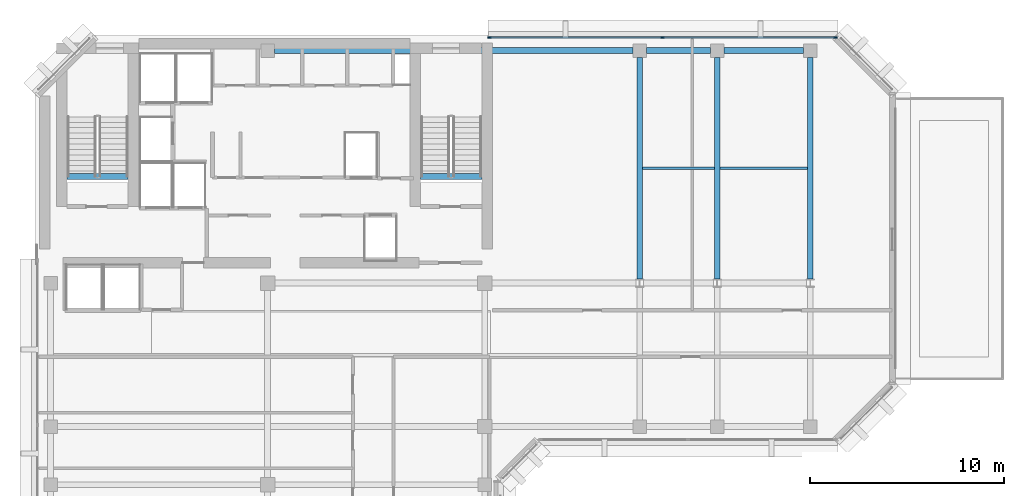
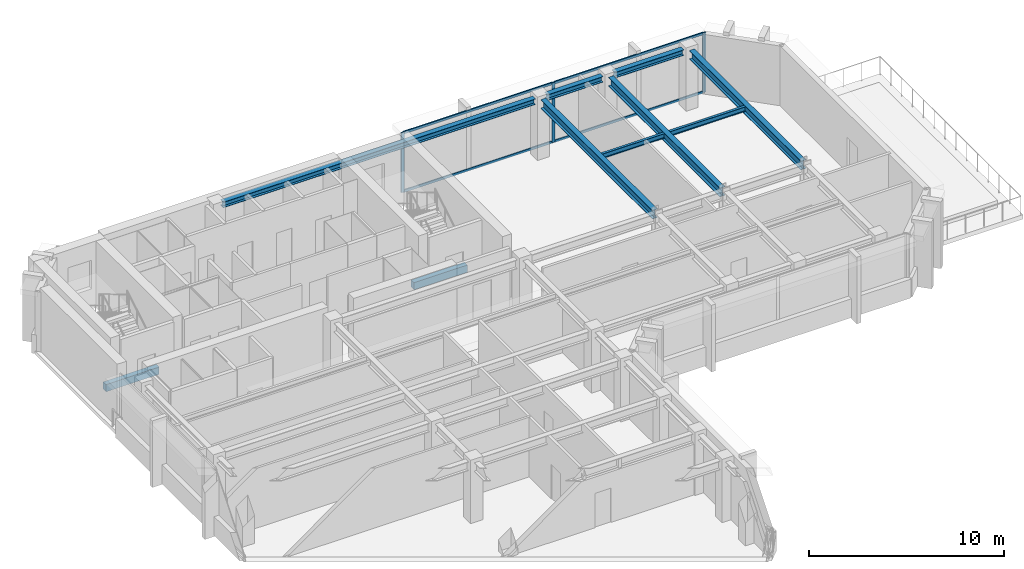
# One storey, part 4 of 11: 10 beams, 7 members, 1 element without a shape of its own.
"""IFC4 building model written with IfcOpenShell, lengths in metres."""

from ifc_helpers import new_model, si_unit, direction, frame, origin, origin_2d, place, context, subcontext, project, spatial, rectangle, i_section, extrude, material, layer, layer_set, material_profile, profile_set, type_object, element, aggregate, save


model = new_model("IFC4")

# Units and contexts
model_context = context("Model", 3, precision=1e-05, world=origin(), true_north=direction((0.0, 1.0)))
body_context = subcontext(model_context, "Body", "Model", "MODEL_VIEW")
ifc_project = project(units=[si_unit("LENGTHUNIT", "METRE"), si_unit("AREAUNIT", "SQUARE_METRE"), si_unit("VOLUMEUNIT", "CUBIC_METRE"), si_unit("PLANEANGLEUNIT", "RADIAN"), si_unit("MASSUNIT", "GRAM", prefix="KILO")], contexts=[model_context])

# Site, building, storey
site_placement = place(None, origin())
site = spatial("IfcSite", under=ifc_project, at=site_placement, CompositionType="ELEMENT")
building_placement = place(site_placement, origin())
building = spatial("IfcBuilding", under=site, at=building_placement, Name="Kefirva Bronze Tower", CompositionType="ELEMENT")
storey_placement = place(building_placement, frame((0.0, 0.0, 272.25)))
storey = spatial("IfcBuildingStorey", under=building, at=storey_placement, Name="L66", CompositionType="ELEMENT", Elevation=272.25)

# Curtain wall, members
ifc_material_1 = material(Name="Bronze anodised aluminium", Category="aluminium")
ifc_layer = layer(ifc_material_1, 0.179931640625, Name="Bronze anodised aluminium")
ifc_layer_set = layer_set([ifc_layer], Name="Bronze anodised aluminium")
curtain_wall_type = type_object("IfcCurtainWallType", Name="Unitised Bronze Ribbon Curtain Wall Zone 4", PredefinedType="USERDEFINED", material=ifc_layer_set)
curtain_wall_placement = place(storey_placement, origin())
curtain_wall = element("IfcCurtainWall", 1, at=curtain_wall_placement, inside=storey, type_object=curtain_wall_type, Name="L66 Curtain Wall 3", ObjectType="UNITISED CURTAIN WALL", PredefinedType="USERDEFINED")
ifc_material_profile_1 = material_profile(ifc_material_1, rectangle(XDim=0.074951171875, YDim=0.179931640625, at=origin_2d()), Name="ALU 75x180")
ifc_profile_set_1 = profile_set([ifc_material_profile_1], Name="Bronze anodised aluminium")
member_type_1 = type_object("IfcMemberType", Name="Bronze Mullion 75x180", PredefinedType="MULLION", material=ifc_profile_set_1)
member_1_placement = place(storey_placement, frame((41.3076171875, 45.8798828125, 0.0), z_axis=(0.0, 0.0, 1.0), x_axis=(0.0, -1.0, 0.0)))
member_1 = element("IfcMember", 2, at=member_1_placement, type_object=member_type_1, Name="CW-04 mullion 1", PredefinedType="MULLION", context=body_context, shape_type="SweptSolid", body=[
    extrude(rectangle(XDim=0.074951171875, YDim=0.179931640625, at=origin_2d()), origin(), (0.0, 0.0, 1.0), 3.739990234375),
])
member_2_placement = place(storey_placement, frame((32.375, 45.8798828125, 0.0), z_axis=(0.0, 0.0, 1.0), x_axis=(0.0, -1.0, 0.0)))
member_2 = element("IfcMember", 3, at=member_2_placement, type_object=member_type_1, Name="CW-04 mullion 2", PredefinedType="MULLION", context=body_context, shape_type="SweptSolid", body=[
    extrude(rectangle(XDim=0.074951171875, YDim=0.179931640625, at=origin_2d()), origin(), (0.0, 0.0, 1.0), 3.739990234375),
])
member_3_placement = place(storey_placement, frame((23.4423828125, 45.8798828125, 0.0), z_axis=(0.0, 0.0, 1.0), x_axis=(0.0, -1.0, 0.0)))
member_3 = element("IfcMember", 4, at=member_3_placement, type_object=member_type_1, Name="CW-04 mullion 3", PredefinedType="MULLION", context=body_context, shape_type="SweptSolid", body=[
    extrude(rectangle(XDim=0.074951171875, YDim=0.179931640625, at=origin_2d()), origin(), (0.0, 0.0, 1.0), 3.739990234375),
])
ifc_material_profile_2 = material_profile(ifc_material_1, rectangle(XDim=0.074951171875, YDim=0.14990234375, at=origin_2d()), Name="ALU 75x150")
ifc_profile_set_2 = profile_set([ifc_material_profile_2], Name="Bronze anodised aluminium")
member_type_2 = type_object("IfcMemberType", Name="Bronze Transom 75x150", PredefinedType="USERDEFINED", material=ifc_profile_set_2)
member_4_placement = place(storey_placement, frame((41.27001953125, 45.8798828125, 0.03759765625), z_axis=(-1.0, 0.0, 0.0), x_axis=(0.0, -1.0, 0.0)))
member_4 = element("IfcMember", 5, at=member_4_placement, type_object=member_type_2, Name="CW-04 transom 1.1", ObjectType="TRANSOM", PredefinedType="USERDEFINED", context=body_context, shape_type="SweptSolid", body=[
    extrude(rectangle(XDim=0.074951171875, YDim=0.14990234375, at=origin_2d()), origin(), (0.0, 0.0, 1.0), 8.857421875),
])
member_5_placement = place(storey_placement, frame((41.27001953125, 45.8798828125, 3.702392578125), z_axis=(-1.0, 0.0, 0.0), x_axis=(0.0, -1.0, 0.0)))
member_5 = element("IfcMember", 6, at=member_5_placement, type_object=member_type_2, Name="CW-04 transom 1.2", ObjectType="TRANSOM", PredefinedType="USERDEFINED", context=body_context, shape_type="SweptSolid", body=[
    extrude(rectangle(XDim=0.074951171875, YDim=0.14990234375, at=origin_2d()), origin(), (0.0, 0.0, 1.0), 8.857421875),
])
member_6_placement = place(storey_placement, frame((32.33740234375, 45.8798828125, 0.03759765625), z_axis=(-1.0, 0.0, 0.0), x_axis=(0.0, -1.0, 0.0)))
member_6 = element("IfcMember", 7, at=member_6_placement, type_object=member_type_2, Name="CW-04 transom 2.1", ObjectType="TRANSOM", PredefinedType="USERDEFINED", context=body_context, shape_type="SweptSolid", body=[
    extrude(rectangle(XDim=0.074951171875, YDim=0.14990234375, at=origin_2d()), origin(), (0.0, 0.0, 1.0), 8.857421875),
])
member_7_placement = place(storey_placement, frame((32.33740234375, 45.8798828125, 3.702392578125), z_axis=(-1.0, 0.0, 0.0), x_axis=(0.0, -1.0, 0.0)))
member_7 = element("IfcMember", 8, at=member_7_placement, type_object=member_type_2, Name="CW-04 transom 2.2", ObjectType="TRANSOM", PredefinedType="USERDEFINED", context=body_context, shape_type="SweptSolid", body=[
    extrude(rectangle(XDim=0.074951171875, YDim=0.14990234375, at=origin_2d()), origin(), (0.0, 0.0, 1.0), 8.857421875),
])
aggregate(curtain_wall, [member_1, member_2, member_3, member_4, member_5, member_6, member_7])

# Beams
ifc_material_2 = material(Name="Concrete C50/60", Category="concrete")
ifc_material_profile_3 = material_profile(ifc_material_2, rectangle(XDim=0.300048828125, YDim=0.449951171875, at=origin_2d()), Name="RC 300x450")
ifc_profile_set_3 = profile_set([ifc_material_profile_3], Name="Concrete C50/60")
beam_type_1 = type_object("IfcBeamType", Name="RC Stair Trimmer Beam 300x450", PredefinedType="BEAM", material=ifc_profile_set_3)
beam_1_placement = place(storey_placement, frame((1.64501953125, 38.699951171875, -0.22509765625), z_axis=(1.0, 0.0, 0.0), x_axis=(0.0, 1.0, 0.0)))
element("IfcBeam", 9, at=beam_1_placement, inside=storey, type_object=beam_type_1, Name="L66 Stair 1 Landing Trimmer Beam", PredefinedType="BEAM", context=body_context, shape_type="SweptSolid", body=[
    extrude(rectangle(XDim=0.300048828125, YDim=0.449951171875, at=origin_2d()), origin(), (0.0, 0.0, 1.0), 3.14990234375),
])
beam_2_placement = place(storey_placement, frame((19.89501953125, 38.699951171875, -0.22509765625), z_axis=(1.0, 0.0, 0.0), x_axis=(0.0, 1.0, 0.0)))
element("IfcBeam", 10, at=beam_2_placement, inside=storey, type_object=beam_type_1, Name="L66 Stair 2 Landing Trimmer Beam", PredefinedType="BEAM", context=body_context, shape_type="SweptSolid", body=[
    extrude(rectangle(XDim=0.300048828125, YDim=0.449951171875, at=origin_2d()), origin(), (0.0, 0.0, 1.0), 3.159912109375),
])
ifc_material_3 = material(Name="Steel S355", Category="steel")
ifc_material_profile_4 = material_profile(ifc_material_3, i_section(OverallWidth=0.14990234375, OverallDepth=0.300048828125, WebThickness=0.007080078125, FlangeThickness=0.0107421875, at=origin_2d()), Name="IPE 300")
ifc_profile_set_4 = profile_set([ifc_material_profile_4], Name="Steel S355")
beam_type_2 = type_object("IfcBeamType", Name="Steel Floor Joist IPE 300", PredefinedType="JOIST", material=ifc_profile_set_4)
beam_3_placement = place(storey_placement, frame((31.35009765625, 39.12890625, 3.590087890625), z_axis=(1.0, 0.0, 0.0), x_axis=(0.0, 1.0, 0.0)))
element("IfcBeam", 11, at=beam_3_placement, inside=storey, type_object=beam_type_2, Name="L66 JST-L66-31-391", PredefinedType="JOIST", context=body_context, shape_type="SweptSolid", body=[
    extrude(i_section(OverallWidth=0.14990234375, OverallDepth=0.300048828125, WebThickness=0.007080078125, FlangeThickness=0.0107421875, at=origin_2d()), origin(), (0.0, 0.0, 1.0), 3.699951171875),
])
beam_4_placement = place(storey_placement, frame((35.35009765625, 39.12890625, 3.590087890625), z_axis=(1.0, 0.0, 0.0), x_axis=(0.0, 1.0, 0.0)))
element("IfcBeam", 12, at=beam_4_placement, inside=storey, type_object=beam_type_2, Name="L66 JST-L66-35-391", PredefinedType="JOIST", context=body_context, shape_type="SweptSolid", body=[
    extrude(i_section(OverallWidth=0.14990234375, OverallDepth=0.300048828125, WebThickness=0.007080078125, FlangeThickness=0.0107421875, at=origin_2d()), origin(), (0.0, 0.0, 1.0), 4.5),
])
ifc_material_profile_5 = material_profile(ifc_material_3, i_section(OverallWidth=0.300048828125, OverallDepth=0.550048828125, WebThickness=0.014892578125, FlangeThickness=0.029052734375, at=origin_2d()), Name="HEB 550")
ifc_profile_set_5 = profile_set([ifc_material_profile_5], Name="Steel S355")
beam_type_3 = type_object("IfcBeamType", Name="Steel Girder HEB 550", PredefinedType="USERDEFINED", material=ifc_profile_set_5)
for number, where, z_axis, x_axis, name in (
    (13, (31.199951171875, 33.407958984375, 3.465087890625), (0.0, 1.0, 0.0), (-1.0, 0.0, 0.0), "L66 BM-L66-NS-312-33"),
    (14, (35.199951171875, 33.407958984375, 3.465087890625), (0.0, 1.0, 0.0), (-1.0, 0.0, 0.0), "L66 BM-L66-NS-352-33"),
    (15, (40.0, 33.407958984375, 3.465087890625), (0.0, 1.0, 0.0), (-1.0, 0.0, 0.0), "L66 BM-L66-NS-400-33"),
):
    element("IfcBeam", number, at=place(storey_placement, frame(where, z_axis=z_axis, x_axis=x_axis)), inside=storey, type_object=beam_type_3, Name=name, ObjectType="GIRDER", PredefinedType="USERDEFINED", context=body_context, shape_type="SweptSolid", body=[
        extrude(i_section(OverallWidth=0.300048828125, OverallDepth=0.550048828125, WebThickness=0.014892578125, FlangeThickness=0.029052734375, at=origin_2d()), origin(), (0.0, 0.0, 1.0), 11.442138671875),
    ])
ifc_material_profile_6 = material_profile(ifc_material_3, i_section(OverallWidth=0.300048828125, OverallDepth=0.360107421875, WebThickness=0.012451171875, FlangeThickness=0.0224609375, at=origin_2d()), Name="HEB 360")
ifc_profile_set_6 = profile_set([ifc_material_profile_6], Name="Steel S355")
beam_type_4 = type_object("IfcBeamType", Name="Steel Spandrel HEB 360 Ext", PredefinedType="SPANDREL", material=ifc_profile_set_6)
beam_5_placement = place(storey_placement, frame((12.35009765625, 45.199951171875, 3.56005859375), z_axis=(1.0, 0.0, 0.0), x_axis=(0.0, 1.0, 0.0)))
element("IfcBeam", 16, at=beam_5_placement, inside=storey, type_object=beam_type_4, Name="L66 BM-L66-EW-12-452", PredefinedType="SPANDREL", context=body_context, shape_type="SweptSolid", body=[
    extrude(i_section(OverallWidth=0.300048828125, OverallDepth=0.360107421875, WebThickness=0.012451171875, FlangeThickness=0.0224609375, at=origin_2d()), origin(), (0.0, 0.0, 1.0), 18.5),
])
beam_6_placement = place(storey_placement, frame((31.550048828125, 45.199951171875, 3.56005859375), z_axis=(1.0, 0.0, 0.0), x_axis=(0.0, 1.0, 0.0)))
element("IfcBeam", 17, at=beam_6_placement, inside=storey, type_object=beam_type_4, Name="L66 BM-L66-EW-31-452", PredefinedType="SPANDREL", context=body_context, shape_type="SweptSolid", body=[
    extrude(i_section(OverallWidth=0.300048828125, OverallDepth=0.360107421875, WebThickness=0.012451171875, FlangeThickness=0.0224609375, at=origin_2d()), origin(), (0.0, 0.0, 1.0), 3.300048828125),
])
beam_7_placement = place(storey_placement, frame((35.550048828125, 45.199951171875, 3.56005859375), z_axis=(1.0, 0.0, 0.0), x_axis=(0.0, 1.0, 0.0)))
element("IfcBeam", 18, at=beam_7_placement, inside=storey, type_object=beam_type_4, Name="L66 BM-L66-EW-35-452", PredefinedType="SPANDREL", context=body_context, shape_type="SweptSolid", body=[
    extrude(i_section(OverallWidth=0.300048828125, OverallDepth=0.360107421875, WebThickness=0.012451171875, FlangeThickness=0.0224609375, at=origin_2d()), origin(), (0.0, 0.0, 1.0), 4.099853515625),
])

save(model, "model.ifc")
